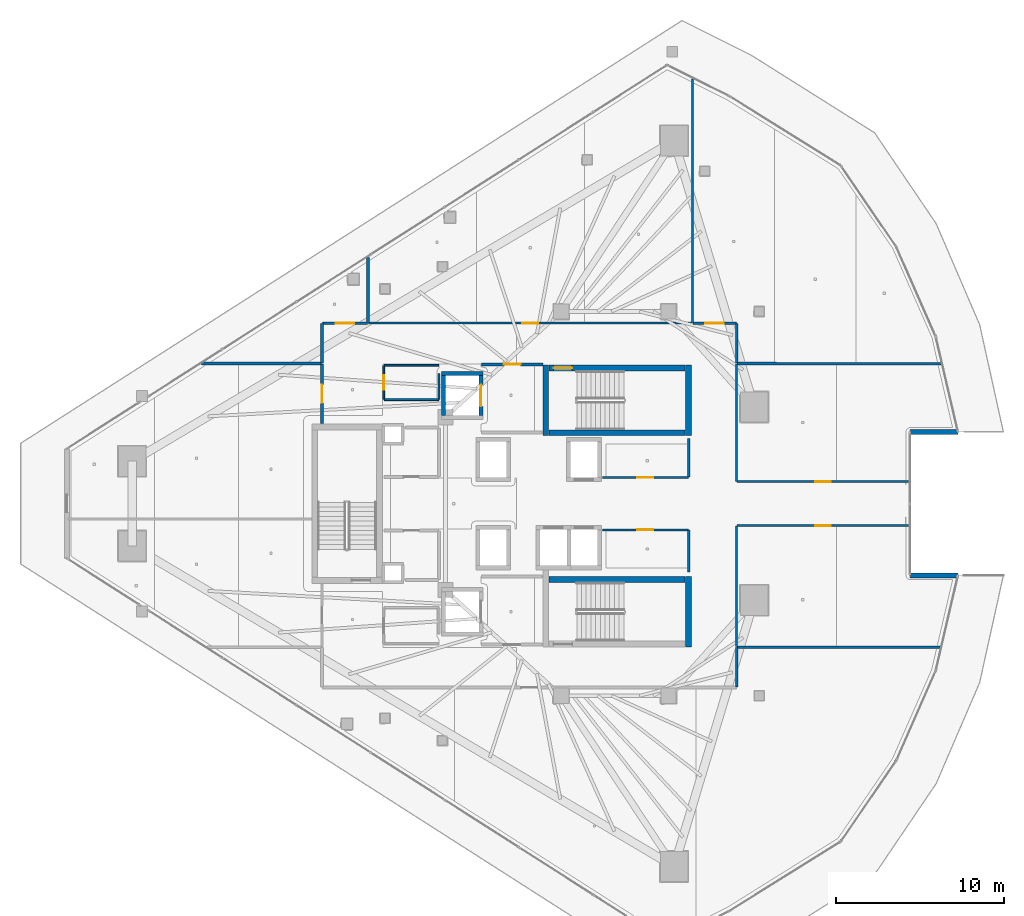
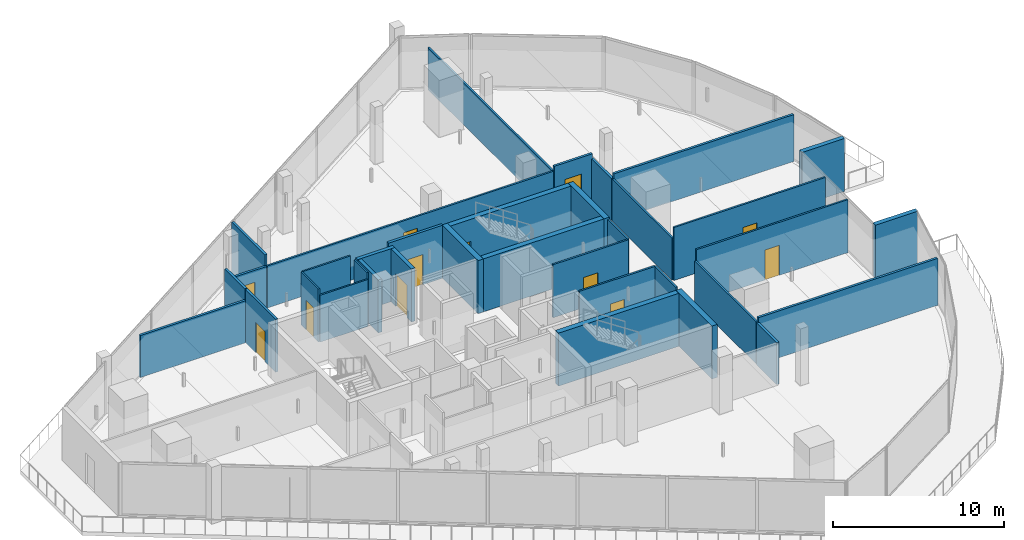
# One storey, part 25 of 33: 36 walls, 12 doors, 12 openings.
"""IFC4 building model written with IfcOpenShell, lengths in metres."""

from ifc_helpers import new_model, si_unit, direction, frame, frame_2d, origin, place, context, subcontext, project, spatial, rectangle, extrude, material, layer, layer_set, type_object, element, fill, save


model = new_model("IFC4")

# Units and contexts
model_context = context("Model", 3, precision=1e-05, world=origin(), true_north=direction((0.0, 1.0)))
body_context = subcontext(model_context, "Body", "Model", "MODEL_VIEW")
ifc_project = project(units=[si_unit("LENGTHUNIT", "METRE"), si_unit("AREAUNIT", "SQUARE_METRE"), si_unit("VOLUMEUNIT", "CUBIC_METRE"), si_unit("PLANEANGLEUNIT", "RADIAN"), si_unit("MASSUNIT", "GRAM", prefix="KILO")], contexts=[model_context])

# Site, building, storey
site_placement = place(None, origin())
site = spatial("IfcSite", under=ifc_project, at=site_placement, CompositionType="ELEMENT")
building_placement = place(site_placement, origin())
building = spatial("IfcBuilding", under=site, at=building_placement, Name="Qorvath Tower", CompositionType="ELEMENT")
storey_placement = place(building_placement, frame((0.0, 0.0, 221.25)))
storey = spatial("IfcBuildingStorey", under=building, at=storey_placement, Name="L51", CompositionType="ELEMENT", Elevation=221.25)

# Wall, opening, door
ifc_material_1 = material(Name="Gypsum shaftliner on steel studs", Category="steel")
ifc_layer_1 = layer(ifc_material_1, 0.179931640625)
ifc_layer_set_1 = layer_set([ifc_layer_1], Name="FW-LOBBY")
wall_type_1 = type_object("IfcWallType", Name="FW-LOBBY", PredefinedType="PARTITIONING", material=ifc_layer_set_1)
wall_1_placement = place(storey_placement, frame((-24.68408203125, 8.300048828125, 0.0), z_axis=(0.0, 0.0, 1.0), x_axis=(-1.0, 0.0, 0.0)))
wall_1 = element("IfcWall", 1, at=wall_1_placement, inside=storey, type_object=wall_type_1, Name="Interior Partition IW-T1-L51-002", PredefinedType="PARTITIONING", context=body_context, shape_type="SweptSolid", body=[
    extrude(rectangle(XDim=3.6708984375, YDim=0.179931640625, at=frame_2d((1.83544921875, 0.0))), origin(), (0.0, 0.0, 1.0), 3.780029296875),
])
opening_1_placement = place(wall_1_placement, frame((1.33544921875, 0.0, 0.0)))
opening_1 = element("IfcOpeningElement", 2, at=opening_1_placement, cuts=wall_1, Name="Opening D-T1-L51-15", PredefinedType="OPENING", context=body_context, shape_type="SweptSolid", body=[
    extrude(rectangle(XDim=1.0, YDim=2.14990234375, at=frame_2d((0.5, 1.074951171875))), frame((0.0, 0.10009765625, 0.0), z_axis=(0.0, -1.0, 0.0), x_axis=(1.0, 0.0, 0.0)), (0.0, 0.0, 1.0), 0.199951171875),
])
ifc_material_2 = material(Name="Painted galvanised hollow metal", Category="steel")
door_type_1 = type_object("IfcDoorType", Name="FD-60", OperationType="NOTDEFINED", PredefinedType="DOOR", material=ifc_material_2)
door_1_placement = place(opening_1_placement, origin())
door_1 = element("IfcDoor", 3, at=door_1_placement, inside=storey, type_object=door_type_1, Name="Lobby Fire Service Elevator North Door D-T1-L51-15", OperationType="SINGLE_SWING_RIGHT", OverallHeight=2.14990234375, OverallWidth=1.0, PredefinedType="DOOR", context=body_context, shape_type="SweptSolid", body=[
    extrude(rectangle(XDim=1.0, YDim=2.14990234375, at=frame_2d((0.5, 1.074951171875))), frame((0.0, 0.02490234375, 0.0), z_axis=(0.0, -1.0, 0.0), x_axis=(1.0, 0.0, 0.0)), (0.0, 0.0, 1.0), 0.050048828125),
])
fill(opening_1, door_1)

# Walls
ifc_material_3 = material(Name="Double acoustic gypsum board on steel studs", Category="steel")
ifc_layer_2 = layer(ifc_material_3, 0.159912109375)
ifc_layer_set_2 = layer_set([ifc_layer_2], Name="IW-ACOUSTIC-160")
wall_type_2 = type_object("IfcWallType", Name="IW-ACOUSTIC-160", PredefinedType="PARTITIONING", material=ifc_layer_set_2)
wall_2_placement = place(storey_placement, frame((-45.034423828125, 8.35009765625, 0.0), z_axis=(0.0, 0.0, 1.0), x_axis=(1.0, 0.0, 0.0)))
element("IfcWall", 4, at=wall_2_placement, inside=storey, type_object=wall_type_2, Name="Interior Partition IW-T1-L51-023", PredefinedType="PARTITIONING", context=body_context, shape_type="SweptSolid", body=[
    extrude(rectangle(XDim=7.151611328125, YDim=0.159912109375, at=frame_2d((3.57568359375, 0.0))), origin(), (0.0, 0.0, 1.0), 3.0),
])
wall_3_placement = place(storey_placement, frame((-37.85791015625, 8.375, 0.0), z_axis=(0.0, 0.0, 1.0), x_axis=(0.0, 1.0, 0.0)))
element("IfcWall", 5, at=wall_3_placement, inside=storey, type_object=wall_type_2, Name="Interior Partition IW-T1-L51-024", PredefinedType="PARTITIONING", context=body_context, shape_type="SweptSolid", body=[
    extrude(rectangle(XDim=2.358154296875, YDim=0.159912109375, at=frame_2d((1.17919921875, 0.0))), origin(), (0.0, 0.0, 1.0), 3.780029296875),
])

# Wall, opening, door
wall_4_placement = place(storey_placement, frame((-35.142333984375, 10.758056640625, 0.0), z_axis=(0.0, 0.0, 1.0), x_axis=(-1.0, 0.0, 0.0)))
wall_4 = element("IfcWall", 6, at=wall_4_placement, inside=storey, type_object=wall_type_2, Name="Interior Partition IW-T1-L51-025", PredefinedType="PARTITIONING", context=body_context, shape_type="SweptSolid", body=[
    extrude(rectangle(XDim=2.690673828125, YDim=0.159912109375, at=frame_2d((1.34521484375, 0.0))), origin(), (0.0, 0.0, 1.0), 3.0),
])
opening_2_placement = place(wall_4_placement, frame((0.79541015625, 0.0, 0.0)))
opening_2 = element("IfcOpeningElement", 7, at=opening_2_placement, cuts=wall_4, Name="Opening D-T1-L51-07", PredefinedType="OPENING", context=body_context, shape_type="SweptSolid", body=[
    extrude(rectangle(XDim=1.10009765625, YDim=2.14990234375, at=frame_2d((0.550048828125, 1.074951171875))), frame((0.0, 0.08984375, 0.0), z_axis=(0.0, -1.0, 0.0), x_axis=(1.0, 0.0, 0.0)), (0.0, 0.0, 1.0), 0.179931640625),
])
ifc_material_4 = material(Name="Anodised aluminium acoustic framed glass", Category="aluminium")
door_type_2 = type_object("IfcDoorType", Name="D-03", OperationType="NOTDEFINED", PredefinedType="DOOR", material=ifc_material_4)
door_2_placement = place(opening_2_placement, origin())
door_2 = element("IfcDoor", 8, at=door_2_placement, inside=storey, type_object=door_type_2, Name="L51-01 Enclosed Conference Suite Door D-T1-L51-07", OperationType="SINGLE_SWING_RIGHT", OverallHeight=2.14990234375, OverallWidth=1.10009765625, PredefinedType="DOOR", context=body_context, shape_type="SweptSolid", body=[
    extrude(rectangle(XDim=1.10009765625, YDim=2.14990234375, at=frame_2d((0.550048828125, 1.074951171875))), frame((0.0, 0.02490234375, 0.0), z_axis=(0.0, -1.0, 0.0), x_axis=(1.0, 0.0, 0.0)), (0.0, 0.0, 1.0), 0.050048828125),
])
fill(opening_2, door_2)

# Wall
wall_5_placement = place(storey_placement, frame((-35.117431640625, 10.783203125, 0.0), z_axis=(0.0, 0.0, 1.0), x_axis=(0.0, 1.0, 0.0)))
element("IfcWall", 9, at=wall_5_placement, inside=storey, type_object=wall_type_2, Name="Interior Partition IW-T1-L51-026", PredefinedType="PARTITIONING", context=body_context, shape_type="SweptSolid", body=[
    extrude(rectangle(XDim=3.876220703125, YDim=0.159912109375, at=frame_2d((1.93798828125, 0.0))), origin(), (0.0, 0.0, 1.0), 3.780029296875),
])

# Wall, opening, door
wall_6_placement = place(storey_placement, frame((-15.734375, 10.758056640625, 0.0), z_axis=(0.0, 0.0, 1.0), x_axis=(1.0, 0.0, 0.0)))
wall_6 = element("IfcWall", 10, at=wall_6_placement, inside=storey, type_object=wall_type_2, Name="Interior Partition IW-T1-L51-029", PredefinedType="PARTITIONING", context=body_context, shape_type="SweptSolid", body=[
    extrude(rectangle(XDim=2.5673828125, YDim=0.159912109375, at=frame_2d((1.28369140625, 0.0))), origin(), (0.0, 0.0, 1.0), 3.34375),
])
opening_3_placement = place(wall_6_placement, frame((0.733642578125, 0.0, 0.0)))
opening_3 = element("IfcOpeningElement", 11, at=opening_3_placement, cuts=wall_6, Name="Opening D-T1-L51-09", PredefinedType="OPENING", context=body_context, shape_type="SweptSolid", body=[
    extrude(rectangle(XDim=1.10009765625, YDim=2.14990234375, at=frame_2d((0.550048828125, 1.074951171875))), frame((0.0, 0.08984375, 0.0), z_axis=(0.0, -1.0, 0.0), x_axis=(1.0, 0.0, 0.0)), (0.0, 0.0, 1.0), 0.179931640625),
])
door_3_placement = place(opening_3_placement, origin())
door_3 = element("IfcDoor", 12, at=door_3_placement, inside=storey, type_object=door_type_2, Name="L51-03 Client Services Office Door D-T1-L51-09", OperationType="SINGLE_SWING_RIGHT", OverallHeight=2.14990234375, OverallWidth=1.10009765625, PredefinedType="DOOR", context=body_context, shape_type="SweptSolid", body=[
    extrude(rectangle(XDim=1.10009765625, YDim=2.14990234375, at=frame_2d((0.550048828125, 1.074951171875))), frame((0.0, 0.02490234375, 0.0), z_axis=(0.0, -1.0, 0.0), x_axis=(1.0, 0.0, 0.0)), (0.0, 0.0, 1.0), 0.050048828125),
])
fill(opening_3, door_3)

# Walls
wall_7_placement = place(storey_placement, frame((-13.14208984375, 10.733154296875, 0.0), z_axis=(0.0, 0.0, 1.0), x_axis=(0.0, -1.0, 0.0)))
element("IfcWall", 13, at=wall_7_placement, inside=storey, type_object=wall_type_2, Name="Interior Partition IW-T1-L51-030", PredefinedType="PARTITIONING", context=body_context, shape_type="SweptSolid", body=[
    extrude(rectangle(XDim=2.358154296875, YDim=0.159912109375, at=frame_2d((1.17919921875, 0.0))), origin(), (0.0, 0.0, 1.0), 3.0),
])
wall_8_placement = place(storey_placement, frame((-13.1171875, 8.35009765625, 0.0), z_axis=(0.0, 0.0, 1.0), x_axis=(0.999998922727, -0.001467836675, 0.0)))
element("IfcWall", 14, at=wall_8_placement, inside=storey, type_object=wall_type_2, Name="Interior Partition IW-T1-L51-031", PredefinedType="PARTITIONING", context=body_context, shape_type="SweptSolid", body=[
    extrude(rectangle(XDim=12.141845703125, YDim=0.159912109375, at=frame_2d((6.07080078125, 0.0))), origin(), (0.0, 0.0, 1.0), 3.34375),
])
wall_9_placement = place(storey_placement, frame((-1.026123046875, -8.550048828125, 0.0), z_axis=(0.0, 0.0, 1.0), x_axis=(-1.0, 0.0, 0.0)))
element("IfcWall", 15, at=wall_9_placement, inside=storey, type_object=wall_type_2, Name="Interior Partition IW-T1-L51-032", PredefinedType="PARTITIONING", context=body_context, shape_type="SweptSolid", body=[
    extrude(rectangle(XDim=12.091064453125, YDim=0.159912109375, at=frame_2d((6.04541015625, 0.0))), origin(), (0.0, 0.0, 1.0), 3.34375),
])
wall_10_placement = place(storey_placement, frame((-13.14208984375, -10.93310546875, 0.0), z_axis=(0.0, 0.0, 1.0), x_axis=(0.0, 1.0, 0.0)))
element("IfcWall", 16, at=wall_10_placement, inside=storey, type_object=wall_type_2, Name="Interior Partition IW-T1-L51-033", PredefinedType="PARTITIONING", context=body_context, shape_type="SweptSolid", body=[
    extrude(rectangle(XDim=2.358154296875, YDim=0.159912109375, at=frame_2d((1.17919921875, 0.0))), origin(), (0.0, 0.0, 1.0), 3.0),
])

# Wall, opening, door
wall_11_placement = place(storey_placement, frame((-37.85791015625, 4.783203125, 0.0), z_axis=(0.0, 0.0, 1.0), x_axis=(0.0, 1.0, 0.0)))
wall_11 = element("IfcWall", 17, at=wall_11_placement, inside=storey, type_object=wall_type_2, Name="Interior Partition IW-T1-L51-043", PredefinedType="PARTITIONING", context=body_context, shape_type="SweptSolid", body=[
    extrude(rectangle(XDim=3.53369140625, YDim=0.159912109375, at=frame_2d((1.766845703125, 0.0))), origin(), (0.0, 0.0, 1.0), 3.780029296875),
])
opening_4_placement = place(wall_11_placement, frame((1.216796875, 0.0, 0.0)))
opening_4 = element("IfcOpeningElement", 18, at=opening_4_placement, cuts=wall_11, Name="Opening D-T1-L51-14", PredefinedType="OPENING", context=body_context, shape_type="SweptSolid", body=[
    extrude(rectangle(XDim=1.10009765625, YDim=2.14990234375, at=frame_2d((0.550048828125, 1.074951171875))), frame((0.0, 0.08984375, 0.0), z_axis=(0.0, -1.0, 0.0), x_axis=(1.0, 0.0, 0.0)), (0.0, 0.0, 1.0), 0.179931640625),
])
door_4_placement = place(opening_4_placement, origin())
door_4 = element("IfcDoor", 19, at=door_4_placement, inside=storey, type_object=door_type_2, Name="L51-08 Digital Visualization Suite Door D-T1-L51-14", OperationType="SINGLE_SWING_LEFT", OverallHeight=2.14990234375, OverallWidth=1.10009765625, PredefinedType="DOOR", context=body_context, shape_type="SweptSolid", body=[
    extrude(rectangle(XDim=1.10009765625, YDim=2.14990234375, at=frame_2d((0.550048828125, 1.074951171875))), frame((0.0, 0.02490234375, 0.0), z_axis=(0.0, -1.0, 0.0), x_axis=(1.0, 0.0, 0.0)), (0.0, 0.0, 1.0), 0.050048828125),
])
fill(opening_4, door_4)

ifc_material_5 = material(Name="Gypsum board on metal studs with mineral wool", Category="gypsum")
ifc_layer_3 = layer(ifc_material_5, 0.125)
ifc_layer_set_3 = layer_set([ifc_layer_3], Name="IW-PART-125")
wall_type_3 = type_object("IfcWallType", Name="IW-PART-125", PredefinedType="PARTITIONING", material=ifc_layer_set_3)
wall_12_placement = place(storey_placement, frame((-21.1337890625, 1.56005859375, 0.0), z_axis=(0.0, 0.0, 1.0), x_axis=(1.0, 0.0, 0.0)))
wall_12 = element("IfcWall", 20, at=wall_12_placement, inside=storey, type_object=wall_type_3, Name="Interior Partition IW-T1-L51-013", PredefinedType="PARTITIONING", context=body_context, shape_type="SweptSolid", body=[
    extrude(rectangle(XDim=5.10888671875, YDim=0.125, at=frame_2d((2.554443359375, 0.0))), origin(), (0.0, 0.0, 1.0), 3.780029296875),
])
opening_5_placement = place(wall_12_placement, frame((2.079345703125, 0.0, 0.0)))
opening_5 = element("IfcOpeningElement", 21, at=opening_5_placement, cuts=wall_12, Name="Opening D-T1-L51-03", PredefinedType="OPENING", context=body_context, shape_type="SweptSolid", body=[
    extrude(rectangle(XDim=0.949951171875, YDim=2.14990234375, at=frame_2d((0.47509765625, 1.074951171875))), frame((0.0, 0.072509765625, 0.0), z_axis=(0.0, -1.0, 0.0), x_axis=(1.0, 0.0, 0.0)), (0.0, 0.0, 1.0), 0.14501953125),
])
ifc_material_6 = material(Name="Solid-core American white oak veneer", Category="wood")
door_type_3 = type_object("IfcDoorType", Name="D-01", OperationType="NOTDEFINED", PredefinedType="DOOR", material=ifc_material_6)
door_5_placement = place(opening_5_placement, origin())
door_5 = element("IfcDoor", 22, at=door_5_placement, inside=storey, type_object=door_type_3, Name="L51-RCN North Quantitative Server Suite Door D-T1-L51-03", OperationType="SINGLE_SWING_RIGHT", OverallHeight=2.14990234375, OverallWidth=0.949951171875, PredefinedType="DOOR", context=body_context, shape_type="SweptSolid", body=[
    extrude(rectangle(XDim=0.949951171875, YDim=2.14990234375, at=frame_2d((0.47509765625, 1.074951171875))), frame((0.0, 0.02490234375, 0.0), z_axis=(0.0, -1.0, 0.0), x_axis=(1.0, 0.0, 0.0)), (0.0, 0.0, 1.0), 0.050048828125),
])
fill(opening_5, door_5)

# Walls
wall_13_placement = place(storey_placement, frame((-16.0, 1.585205078125, 0.0), z_axis=(0.0, 0.0, 1.0), x_axis=(0.0, 1.0, 0.0)))
element("IfcWall", 23, at=wall_13_placement, inside=storey, type_object=wall_type_3, Name="Interior Partition IW-T1-L51-014", PredefinedType="PARTITIONING", context=body_context, shape_type="SweptSolid", body=[
    extrude(rectangle(XDim=2.30224609375, YDim=0.125, at=frame_2d((1.151123046875, 0.0))), origin(), (0.0, 0.0, 1.0), 3.780029296875),
])
wall_14_placement = place(storey_placement, frame((-16.0, -4.0751953125, 0.0), z_axis=(0.0, 0.0, 1.0), x_axis=(0.0, 1.0, 0.0)))
element("IfcWall", 24, at=wall_14_placement, inside=storey, type_object=wall_type_3, Name="Interior Partition IW-T1-L51-015", PredefinedType="PARTITIONING", context=body_context, shape_type="SweptSolid", body=[
    extrude(rectangle(XDim=2.489990234375, YDim=0.125, at=frame_2d((1.2451171875, 0.0))), origin(), (0.0, 0.0, 1.0), 3.780029296875),
])

# Wall, opening, door
wall_15_placement = place(storey_placement, frame((-16.02490234375, -1.56005859375, 0.0), z_axis=(0.0, 0.0, 1.0), x_axis=(-1.0, 0.0, 0.0)))
wall_15 = element("IfcWall", 25, at=wall_15_placement, inside=storey, type_object=wall_type_3, Name="Interior Partition IW-T1-L51-016", PredefinedType="PARTITIONING", context=body_context, shape_type="SweptSolid", body=[
    extrude(rectangle(XDim=5.10888671875, YDim=0.125, at=frame_2d((2.554443359375, 0.0))), origin(), (0.0, 0.0, 1.0), 3.780029296875),
])
opening_6_placement = place(wall_15_placement, frame((2.079345703125, 0.0, 0.0)))
opening_6 = element("IfcOpeningElement", 26, at=opening_6_placement, cuts=wall_15, Name="Opening D-T1-L51-04", PredefinedType="OPENING", context=body_context, shape_type="SweptSolid", body=[
    extrude(rectangle(XDim=0.949951171875, YDim=2.14990234375, at=frame_2d((0.47509765625, 1.074951171875))), frame((0.0, 0.072509765625, 0.0), z_axis=(0.0, -1.0, 0.0), x_axis=(1.0, 0.0, 0.0)), (0.0, 0.0, 1.0), 0.14501953125),
])
door_6_placement = place(opening_6_placement, origin())
door_6 = element("IfcDoor", 27, at=door_6_placement, inside=storey, type_object=door_type_3, Name="L51-RCS South Quantitative Server Suite Door D-T1-L51-04", OperationType="SINGLE_SWING_LEFT", OverallHeight=2.14990234375, OverallWidth=0.949951171875, PredefinedType="DOOR", context=body_context, shape_type="SweptSolid", body=[
    extrude(rectangle(XDim=0.949951171875, YDim=2.14990234375, at=frame_2d((0.47509765625, 1.074951171875))), frame((0.0, 0.02490234375, 0.0), z_axis=(0.0, -1.0, 0.0), x_axis=(1.0, 0.0, 0.0)), (0.0, 0.0, 1.0), 0.050048828125),
])
fill(opening_6, door_6)

wall_16_placement = place(storey_placement, frame((-35.08447265625, 10.758056640625, 0.0), z_axis=(0.0, 0.0, 1.0), x_axis=(1.0, 0.0, 0.0)))
wall_16 = element("IfcWall", 28, at=wall_16_placement, inside=storey, type_object=wall_type_3, Name="Interior Partition IW-T1-L51-027", PredefinedType="PARTITIONING", context=body_context, shape_type="SweptSolid", body=[
    extrude(rectangle(XDim=19.292236328125, YDim=0.125, at=frame_2d((9.64599609375, 0.0))), origin(), (0.0, 0.0, 1.0), 3.0),
])
opening_7_placement = place(wall_16_placement, frame((9.171142578125, 0.0, 0.0)))
opening_7 = element("IfcOpeningElement", 29, at=opening_7_placement, cuts=wall_16, Name="Opening D-T1-L51-08", PredefinedType="OPENING", context=body_context, shape_type="SweptSolid", body=[
    extrude(rectangle(XDim=0.949951171875, YDim=2.14990234375, at=frame_2d((0.47509765625, 1.074951171875))), frame((0.0, 0.072509765625, 0.0), z_axis=(0.0, -1.0, 0.0), x_axis=(1.0, 0.0, 0.0)), (0.0, 0.0, 1.0), 0.14501953125),
])
door_7_placement = place(opening_7_placement, origin())
door_7 = element("IfcDoor", 30, at=door_7_placement, inside=storey, type_object=door_type_3, Name="L51-02 Focus Collaboration Pod Door D-T1-L51-08", OperationType="SINGLE_SWING_LEFT", OverallHeight=2.14990234375, OverallWidth=0.949951171875, PredefinedType="DOOR", context=body_context, shape_type="SweptSolid", body=[
    extrude(rectangle(XDim=0.949951171875, YDim=2.14990234375, at=frame_2d((0.47509765625, 1.074951171875))), frame((0.0, 0.02490234375, 0.0), z_axis=(0.0, -1.0, 0.0), x_axis=(1.0, 0.0, 0.0)), (0.0, 0.0, 1.0), 0.050048828125),
])
fill(opening_7, door_7)

# Wall
wall_17_placement = place(storey_placement, frame((-15.767333984375, 10.783203125, 0.0), z_axis=(0.0, 0.0, 1.0), x_axis=(-0.000168234045, 0.999999985849, 0.0)))
element("IfcWall", 31, at=wall_17_placement, inside=storey, type_object=wall_type_3, Name="Interior Partition IW-T1-L51-028", PredefinedType="PARTITIONING", context=body_context, shape_type="SweptSolid", body=[
    extrude(rectangle(XDim=14.511962890625, YDim=0.125, at=frame_2d((7.255859375, 0.0))), origin(), (0.0, 0.0, 1.0), 3.0),
])

# Wall, opening, door
wall_18_placement = place(storey_placement, frame((-2.881591796875, -1.30810546875, 0.0), z_axis=(0.0, 0.0, 1.0), x_axis=(-1.0, 0.0, 0.0)))
wall_18 = element("IfcWall", 32, at=wall_18_placement, inside=storey, type_object=wall_type_3, Name="Interior Partition IW-T1-L51-037", PredefinedType="PARTITIONING", context=body_context, shape_type="SweptSolid", body=[
    extrude(rectangle(XDim=10.235595703125, YDim=0.125, at=frame_2d((5.11767578125, 0.0))), origin(), (0.0, 0.0, 1.0), 3.780029296875),
])
opening_8_placement = place(wall_18_placement, frame((4.642822265625, 0.0, 0.0)))
opening_8 = element("IfcOpeningElement", 33, at=opening_8_placement, cuts=wall_18, Name="Opening D-T1-L51-11", PredefinedType="OPENING", context=body_context, shape_type="SweptSolid", body=[
    extrude(rectangle(XDim=0.949951171875, YDim=2.14990234375, at=frame_2d((0.47509765625, 1.074951171875))), frame((0.0, 0.072509765625, 0.0), z_axis=(0.0, -1.0, 0.0), x_axis=(1.0, 0.0, 0.0)), (0.0, 0.0, 1.0), 0.14501953125),
])
door_8_placement = place(opening_8_placement, origin())
door_8 = element("IfcDoor", 34, at=door_8_placement, inside=storey, type_object=door_type_3, Name="L51-05 Design Pin-Up Atelier Door D-T1-L51-11", OperationType="SINGLE_SWING_RIGHT", OverallHeight=2.14990234375, OverallWidth=0.949951171875, PredefinedType="DOOR", context=body_context, shape_type="SweptSolid", body=[
    extrude(rectangle(XDim=0.949951171875, YDim=2.14990234375, at=frame_2d((0.47509765625, 1.074951171875))), frame((0.0, 0.02490234375, 0.0), z_axis=(0.0, -1.0, 0.0), x_axis=(1.0, 0.0, 0.0)), (0.0, 0.0, 1.0), 0.050048828125),
])
fill(opening_8, door_8)

# Walls
wall_19_placement = place(storey_placement, frame((-13.14208984375, -1.3330078125, 0.0), z_axis=(0.0, 0.0, 1.0), x_axis=(0.0, -1.0, 0.0)))
element("IfcWall", 35, at=wall_19_placement, inside=storey, type_object=wall_type_3, Name="Interior Partition IW-T1-L51-038", PredefinedType="PARTITIONING", context=body_context, shape_type="SweptSolid", body=[
    extrude(rectangle(XDim=7.18408203125, YDim=0.125, at=frame_2d((3.592041015625, 0.0))), origin(), (0.0, 0.0, 1.0), 3.0),
])
wall_20_placement = place(storey_placement, frame((-13.14208984375, 8.31689453125, 0.0), z_axis=(0.0, 0.0, 1.0), x_axis=(0.0, -1.0, 0.0)))
element("IfcWall", 36, at=wall_20_placement, inside=storey, type_object=wall_type_3, Name="Interior Partition IW-T1-L51-039", PredefinedType="PARTITIONING", context=body_context, shape_type="SweptSolid", body=[
    extrude(rectangle(XDim=6.98388671875, YDim=0.125, at=frame_2d((3.491943359375, 0.0))), origin(), (0.0, 0.0, 1.0), 3.0),
])

# Wall, opening, door
wall_21_placement = place(storey_placement, frame((-13.1171875, 1.30810546875, 0.0), z_axis=(0.0, 0.0, 1.0), x_axis=(1.0, 0.0, 0.0)))
wall_21 = element("IfcWall", 37, at=wall_21_placement, inside=storey, type_object=wall_type_3, Name="Interior Partition IW-T1-L51-040", PredefinedType="PARTITIONING", context=body_context, shape_type="SweptSolid", body=[
    extrude(rectangle(XDim=10.235595703125, YDim=0.125, at=frame_2d((5.11767578125, 0.0))), origin(), (0.0, 0.0, 1.0), 3.780029296875),
])
opening_9_placement = place(wall_21_placement, frame((4.642822265625, 0.0, 0.0)))
opening_9 = element("IfcOpeningElement", 38, at=opening_9_placement, cuts=wall_21, Name="Opening D-T1-L51-12", PredefinedType="OPENING", context=body_context, shape_type="SweptSolid", body=[
    extrude(rectangle(XDim=0.949951171875, YDim=2.14990234375, at=frame_2d((0.47509765625, 1.074951171875))), frame((0.0, 0.072509765625, 0.0), z_axis=(0.0, -1.0, 0.0), x_axis=(1.0, 0.0, 0.0)), (0.0, 0.0, 1.0), 0.14501953125),
])
door_9_placement = place(opening_9_placement, origin())
door_9 = element("IfcDoor", 39, at=door_9_placement, inside=storey, type_object=door_type_3, Name="L51-06 Executive Partner Office Door D-T1-L51-12", OperationType="SINGLE_SWING_LEFT", OverallHeight=2.14990234375, OverallWidth=0.949951171875, PredefinedType="DOOR", context=body_context, shape_type="SweptSolid", body=[
    extrude(rectangle(XDim=0.949951171875, YDim=2.14990234375, at=frame_2d((0.47509765625, 1.074951171875))), frame((0.0, 0.02490234375, 0.0), z_axis=(0.0, -1.0, 0.0), x_axis=(1.0, 0.0, 0.0)), (0.0, 0.0, 1.0), 0.050048828125),
])
fill(opening_9, door_9)

ifc_material_7 = material(Name="Moisture-resistant cement board on metal studs", Category="gypsum")
ifc_layer_4 = layer(ifc_material_7, 0.110107421875)
ifc_layer_set_4 = layer_set([ifc_layer_4], Name="IW-WC-110")
wall_type_4 = type_object("IfcWallType", Name="IW-WC-110", PredefinedType="PARTITIONING", material=ifc_layer_set_4)
wall_22_placement = place(storey_placement, frame((-34.179931640625, 8.22509765625, 0.0), z_axis=(0.0, 0.0, 1.0), x_axis=(0.0, -1.0, 0.0)))
wall_22 = element("IfcWall", 40, at=wall_22_placement, inside=storey, type_object=wall_type_4, Name="Interior Partition IW-T1-L51-005", PredefinedType="PARTITIONING", context=body_context, shape_type="SweptSolid", body=[
    extrude(rectangle(XDim=2.0, YDim=0.110107421875, at=frame_2d((1.0, 0.0))), origin(), (0.0, 0.0, 1.0), 3.780029296875),
])
opening_10_placement = place(wall_22_placement, frame((0.56005859375, 0.0, 0.0)))
opening_10 = element("IfcOpeningElement", 41, at=opening_10_placement, cuts=wall_22, Name="Opening D-T1-L51-01", PredefinedType="OPENING", context=body_context, shape_type="SweptSolid", body=[
    extrude(rectangle(XDim=0.8798828125, YDim=2.10009765625, at=frame_2d((0.43994140625, 1.050048828125))), frame((0.0, 0.06494140625, 0.0), z_axis=(0.0, -1.0, 0.0), x_axis=(1.0, 0.0, 0.0)), (0.0, 0.0, 1.0), 0.130126953125),
])
ifc_material_8 = material(Name="Solid-core oak with acoustic drop seal", Category="wood")
door_type_4 = type_object("IfcDoorType", Name="D-02", OperationType="NOTDEFINED", PredefinedType="DOOR", material=ifc_material_8)
door_10_placement = place(opening_10_placement, origin())
door_10 = element("IfcDoor", 42, at=door_10_placement, inside=storey, type_object=door_type_4, Name="WC All-Gender North L51 Door D-T1-L51-01", OperationType="SINGLE_SWING_RIGHT", OverallHeight=2.10009765625, OverallWidth=0.8798828125, PredefinedType="DOOR", context=body_context, shape_type="SweptSolid", body=[
    extrude(rectangle(XDim=0.8798828125, YDim=2.10009765625, at=frame_2d((0.43994140625, 1.050048828125))), frame((0.0, 0.02490234375, 0.0), z_axis=(0.0, -1.0, 0.0), x_axis=(1.0, 0.0, 0.0)), (0.0, 0.0, 1.0), 0.050048828125),
])
fill(opening_10, door_10)

# Walls
wall_23_placement = place(storey_placement, frame((-34.15478515625, 6.199951171875, 0.0), z_axis=(0.0, 0.0, 1.0), x_axis=(1.0, 0.0, 0.0)))
element("IfcWall", 43, at=wall_23_placement, inside=storey, type_object=wall_type_4, Name="Interior Partition IW-T1-L51-006", PredefinedType="PARTITIONING", context=body_context, shape_type="SweptSolid", body=[
    extrude(rectangle(XDim=3.25, YDim=0.110107421875, at=frame_2d((1.625, 0.0))), origin(), (0.0, 0.0, 1.0), 3.34375),
])
wall_24_placement = place(storey_placement, frame((-30.8798828125, 6.22509765625, 0.0), z_axis=(0.0, 0.0, 1.0), x_axis=(0.0, 1.0, 0.0)))
element("IfcWall", 44, at=wall_24_placement, inside=storey, type_object=wall_type_4, Name="Interior Partition IW-T1-L51-007", PredefinedType="PARTITIONING", context=body_context, shape_type="SweptSolid", body=[
    extrude(rectangle(XDim=1.517822265625, YDim=0.110107421875, at=frame_2d((0.7587890625, 0.0))), origin(), (0.0, 0.0, 1.0), 3.780029296875),
])
wall_25_placement = place(storey_placement, frame((-30.90478515625, 8.25, 0.0), z_axis=(0.0, 0.0, 1.0), x_axis=(-1.0, 0.0, 0.0)))
element("IfcWall", 45, at=wall_25_placement, inside=storey, type_object=wall_type_4, Name="Interior Partition IW-T1-L51-008", PredefinedType="PARTITIONING", context=body_context, shape_type="SweptSolid", body=[
    extrude(rectangle(XDim=3.25, YDim=0.110107421875, at=frame_2d((1.625, 0.0))), origin(), (0.0, 0.0, 1.0), 3.780029296875),
])
ifc_material_9 = material(Name="Concrete C60/75", Category="concrete")
ifc_layer_5 = layer(ifc_material_9, 0.260009765625)
ifc_layer_set_5 = layer_set([ifc_layer_5], Name="SW-SHAFT")
wall_type_5 = type_object("IfcWallType", Name="SW-SHAFT", PredefinedType="SHEAR", material=ifc_layer_set_5)
wall_26_placement = place(storey_placement, frame((-30.739990234375, 7.77001953125, 0.0), z_axis=(0.0, 0.0, 1.0), x_axis=(1.0, 0.0, 0.0)))
element("IfcWall", 46, at=wall_26_placement, inside=storey, type_object=wall_type_5, Name="Hoistway Wall FSAE-1 L51 N", PredefinedType="SHEAR", context=body_context, shape_type="SweptSolid", body=[
    extrude(rectangle(XDim=2.47998046875, YDim=0.239990234375, at=frame_2d((1.239990234375, 0.0))), origin(), (0.0, 0.0, 1.0), 3.780029296875),
])
wall_27_placement = place(storey_placement, frame((-30.6201171875, 5.261962890625, 0.0), z_axis=(0.0, 0.0, 1.0), x_axis=(0.0, 1.0, 0.0)))
element("IfcWall", 47, at=wall_27_placement, inside=storey, type_object=wall_type_5, Name="Hoistway Wall FSAE-1 L51 W", PredefinedType="SHEAR", context=body_context, shape_type="SweptSolid", body=[
    extrude(rectangle(XDim=2.3759765625, YDim=0.239990234375, at=frame_2d((1.18798828125, 0.0))), origin(), (0.0, 0.0, 1.0), 3.780029296875),
])

# Wall, opening, door
wall_28_placement = place(storey_placement, frame((-28.3798828125, 7.637939453125, 0.0), z_axis=(0.0, 0.0, 1.0), x_axis=(0.0, -1.0, 0.0)))
wall_28 = element("IfcWall", 48, at=wall_28_placement, inside=storey, type_object=wall_type_5, Name="Hoistway Wall FSAE-1 L51 E", PredefinedType="SHEAR", context=body_context, shape_type="SweptSolid", body=[
    extrude(rectangle(XDim=2.3759765625, YDim=0.239990234375, at=frame_2d((1.18798828125, 0.0))), origin(), (0.0, 0.0, 1.0), 3.780029296875),
])
opening_11_placement = place(wall_28_placement, frame((0.537841796875, 0.0, 0.0)))
opening_11 = element("IfcOpeningElement", 49, at=opening_11_placement, cuts=wall_28, Name="Opening LD-FSAE-1-L51", PredefinedType="OPENING", context=body_context, shape_type="SweptSolid", body=[
    extrude(rectangle(XDim=1.300048828125, YDim=2.300048828125, at=frame_2d((0.64990234375, 1.14990234375))), frame((0.0, 0.1298828125, 0.0), z_axis=(0.0, -1.0, 0.0), x_axis=(1.0, 0.0, 0.0)), (0.0, 0.0, 1.0), 0.260009765625),
])
ifc_material_10 = material(Name="Brushed stainless steel AISI 316", Category="steel")
door_type_5 = type_object("IfcDoorType", Name="LD-02", OperationType="NOTDEFINED", PredefinedType="DOOR", material=ifc_material_10)
door_11_placement = place(opening_11_placement, origin())
door_11 = element("IfcDoor", 50, at=door_11_placement, inside=storey, type_object=door_type_5, Name="Elevator Landing Sliding Door LD-FSAE-1-L51", OperationType="DOUBLE_DOOR_SLIDING", OverallHeight=2.300048828125, OverallWidth=1.300048828125, PredefinedType="DOOR", context=body_context, shape_type="SweptSolid", body=[
    extrude(rectangle(XDim=1.300048828125, YDim=2.300048828125, at=frame_2d((0.64990234375, 1.14990234375))), frame((0.0, 0.02490234375, 0.0), z_axis=(0.0, -1.0, 0.0), x_axis=(1.0, 0.0, 0.0)), (0.0, 0.0, 1.0), 0.050048828125),
])
fill(opening_11, door_11)

# Walls
ifc_material_11 = material(Name="Concrete C60/75", Category="concrete")
ifc_layer_6 = layer(ifc_material_11, 0.35009765625)
ifc_layer_set_6 = layer_set([ifc_layer_6], Name="SW-STAIR")
wall_type_6 = type_object("IfcWallType", Name="SW-STAIR", PredefinedType="SHEAR", material=ifc_layer_set_6)
for number, where, z_axis, x_axis, name in (
    (51, (-24.52490234375, 8.260009765625, 0.0), (0.0, 0.0, 1.0), (0.0, -1.0, 0.0), "Stair TS1 Shear Wall L51 NEAR"),
    (52, (-16.02490234375, 4.050048828125, 0.0), (0.0, 0.0, 1.0), (0.0, 1.0, 0.0), "Stair TS1 Shear Wall L51 FAR"),
):
    element("IfcWall", number, at=place(storey_placement, frame(where, z_axis=z_axis, x_axis=x_axis)), inside=storey, type_object=wall_type_6, Name=name, PredefinedType="SHEAR", context=body_context, shape_type="SweptSolid", body=[
        extrude(rectangle(XDim=4.2099609375, YDim=0.35009765625, at=frame_2d((2.10498046875, 0.0))), origin(), (0.0, 0.0, 1.0), 3.780029296875),
    ])
wall_29_placement = place(storey_placement, frame((-24.3349609375, 4.22509765625, 0.0), z_axis=(0.0, 0.0, 1.0), x_axis=(1.0, 0.0, 0.0)))
element("IfcWall", 53, at=wall_29_placement, inside=storey, type_object=wall_type_6, Name="Stair TS1 Shear Wall L51 LEFT", PredefinedType="SHEAR", context=body_context, shape_type="SweptSolid", body=[
    extrude(rectangle(XDim=8.119873046875, YDim=0.35009765625, at=frame_2d((4.06005859375, 0.0))), origin(), (0.0, 0.0, 1.0), 3.780029296875),
])

# Wall, opening, door
wall_30_placement = place(storey_placement, frame((-16.215087890625, 8.0849609375, 0.0), z_axis=(0.0, 0.0, 1.0), x_axis=(-1.0, 0.0, 0.0)))
wall_30 = element("IfcWall", 54, at=wall_30_placement, inside=storey, type_object=wall_type_6, Name="Stair TS1 Shear Wall L51 RIGHT", PredefinedType="SHEAR", context=body_context, shape_type="SweptSolid", body=[
    extrude(rectangle(XDim=8.119873046875, YDim=0.35009765625, at=frame_2d((4.06005859375, 0.0))), origin(), (0.0, 0.0, 1.0), 3.780029296875),
])
opening_12_placement = place(wall_30_placement, frame((6.739990234375, 0.0, 0.0)))
opening_12 = element("IfcOpeningElement", 55, at=opening_12_placement, cuts=wall_30, Name="Opening D-TS1-L51", PredefinedType="OPENING", context=body_context, shape_type="SweptSolid", body=[
    extrude(rectangle(XDim=1.10009765625, YDim=2.199951171875, at=frame_2d((0.550048828125, 1.10009765625))), frame((0.0, 0.18505859375, 0.0), z_axis=(0.0, -1.0, 0.0), x_axis=(1.0, 0.0, 0.0)), (0.0, 0.0, 1.0), 0.3701171875),
])
ifc_material_12 = material(Name="Painted galvanised hollow metal", Category="steel")
door_type_6 = type_object("IfcDoorType", Name="FD-90", OperationType="NOTDEFINED", PredefinedType="DOOR", material=ifc_material_12)
door_12_placement = place(opening_12_placement, origin())
door_12 = element("IfcDoor", 56, at=door_12_placement, inside=storey, type_object=door_type_6, Name="Stair TS1 Fire Door L51", OperationType="SINGLE_SWING_RIGHT", OverallHeight=2.199951171875, OverallWidth=1.10009765625, PredefinedType="DOOR", context=body_context, shape_type="SweptSolid", body=[
    extrude(rectangle(XDim=1.10009765625, YDim=2.199951171875, at=frame_2d((0.550048828125, 1.10009765625))), frame((0.0, 0.02490234375, 0.0), z_axis=(0.0, -1.0, 0.0), x_axis=(1.0, 0.0, 0.0)), (0.0, 0.0, 1.0), 0.050048828125),
])
fill(opening_12, door_12)

# Walls
wall_31_placement = place(storey_placement, frame((-16.02490234375, -8.550048828125, 0.0), z_axis=(0.0, 0.0, 1.0), x_axis=(0.0, 1.0, 0.0)))
element("IfcWall", 57, at=wall_31_placement, inside=storey, type_object=wall_type_6, Name="Stair TS2 Shear Wall L51 FAR", PredefinedType="SHEAR", context=body_context, shape_type="SweptSolid", body=[
    extrude(rectangle(XDim=4.2099609375, YDim=0.35009765625, at=frame_2d((2.10498046875, 0.0))), origin(), (0.0, 0.0, 1.0), 3.780029296875),
])
wall_32_placement = place(storey_placement, frame((-16.215087890625, -4.514892578125, 0.0), z_axis=(0.0, 0.0, 1.0), x_axis=(-1.0, 0.0, 0.0)))
element("IfcWall", 58, at=wall_32_placement, inside=storey, type_object=wall_type_6, Name="Stair TS2 Shear Wall L51 RIGHT", PredefinedType="SHEAR", context=body_context, shape_type="SweptSolid", body=[
    extrude(rectangle(XDim=8.119873046875, YDim=0.35009765625, at=frame_2d((4.06005859375, 0.0))), origin(), (0.0, 0.0, 1.0), 3.780029296875),
])
ifc_material_13 = material(Name="Precast concrete C45/55", Category="concrete")
ifc_layer_7 = layer(ifc_material_13, 0.300048828125)
ifc_layer_set_7 = layer_set([ifc_layer_7], Name="WL-EW-LOG-300")
wall_type_7 = type_object("IfcWallType", Name="WL-EW-LOG-300", PredefinedType="SOLIDWALL", material=ifc_layer_set_7)
for number, where, z_axis, x_axis, name in (
    (59, (0.049560546875, -4.27685546875, 0.0), (0.0, 0.0, 1.0), (-1.0, 0.0, 0.0), "Tower Precast Loggia Wall L51-8.1"),
    (60, (-2.8017578125, 4.27685546875, 0.0), (0.0, 0.0, 1.0), (1.0, 0.0, 0.0), "Tower Precast Loggia Wall L51-10.1"),
):
    element("IfcWall", number, at=place(storey_placement, frame(where, z_axis=z_axis, x_axis=x_axis)), inside=storey, type_object=wall_type_7, Name=name, PredefinedType="SOLIDWALL", context=body_context, shape_type="SweptSolid", body=[
        extrude(rectangle(XDim=2.851318359375, YDim=0.300048828125, at=frame_2d((1.42578125, 0.0))), origin(), (0.0, 0.0, 1.0), 3.780029296875),
    ])

save(model, "model.ifc")
